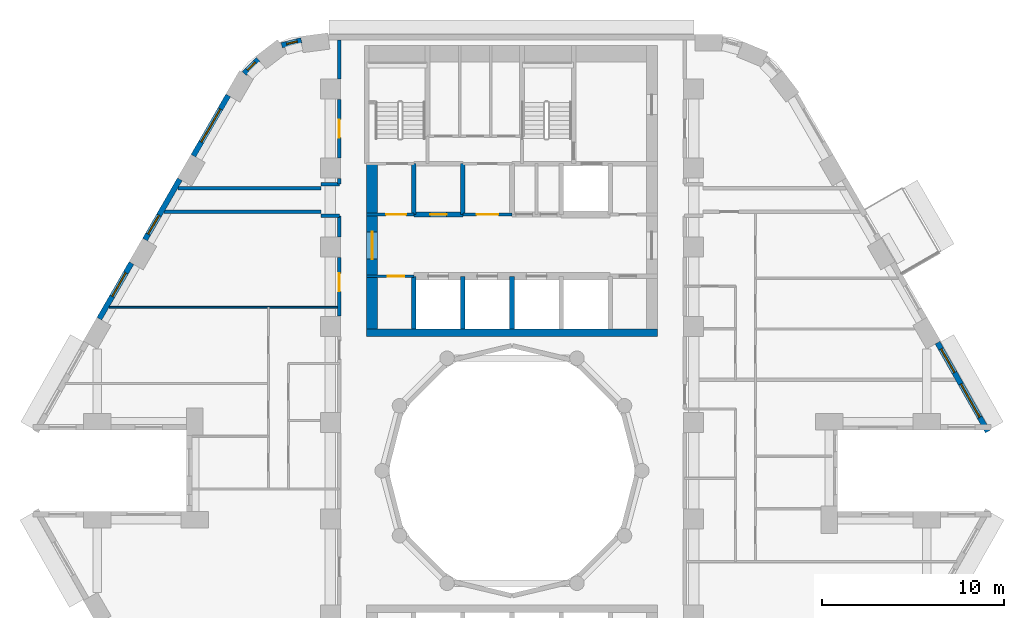
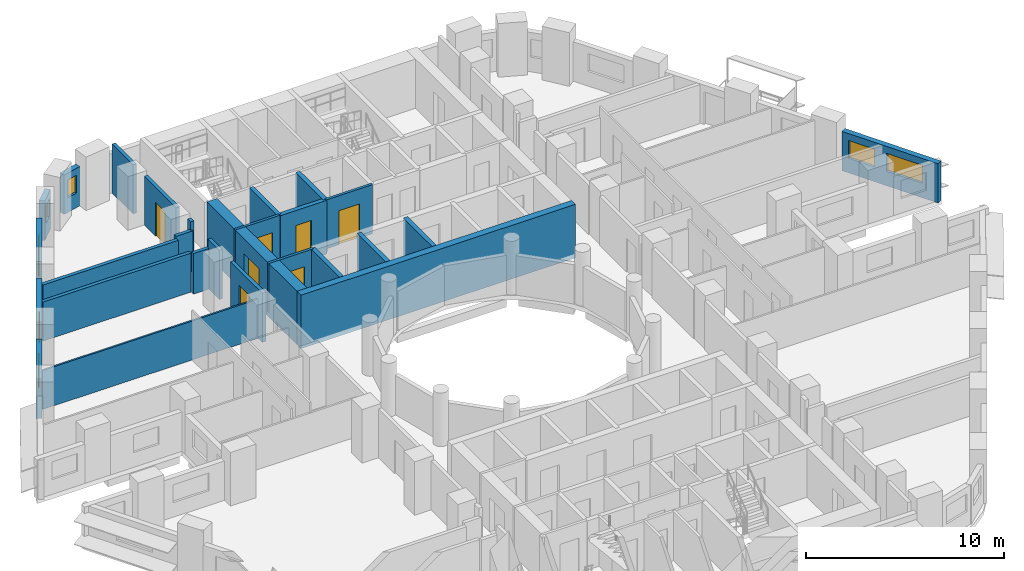
# One storey, part 7 of 13: 27 walls, 7 doors, 7 windows, 14 openings.
"""IFC4 building model written with IfcOpenShell, lengths in metres."""

from ifc_helpers import new_model, si_unit, direction, frame, frame_2d, origin, place, context, subcontext, project, spatial, rectangle, extrude, material, layer, layer_set, type_object, element, fill, save


model = new_model("IFC4")

# Units and contexts
model_context = context("Model", 3, precision=1e-05, world=origin(), true_north=direction((0.0, 1.0)))
body_context = subcontext(model_context, "Body", "Model", "MODEL_VIEW")
ifc_project = project(units=[si_unit("LENGTHUNIT", "METRE"), si_unit("AREAUNIT", "SQUARE_METRE"), si_unit("VOLUMEUNIT", "CUBIC_METRE"), si_unit("PLANEANGLEUNIT", "RADIAN"), si_unit("MASSUNIT", "GRAM", prefix="KILO")], contexts=[model_context])

# Site, building, storey
site_placement = place(None, origin())
site = spatial("IfcSite", under=ifc_project, at=site_placement, CompositionType="ELEMENT")
building_placement = place(site_placement, origin())
building = spatial("IfcBuilding", under=site, at=building_placement, Name="Nakaniwa Court", CompositionType="ELEMENT")
storey_placement = place(building_placement, frame((0.0, 0.0, 64.5)))
storey = spatial("IfcBuildingStorey", under=building, at=storey_placement, Name="L17", CompositionType="ELEMENT", Elevation=64.5)

# Walls
ifc_material_1 = material(Name="Acoustic double stud partition")
ifc_layer_1 = layer(ifc_material_1, 0.199951171875)
ifc_layer_set_1 = layer_set([ifc_layer_1], Name="Acoustic double stud partition")
wall_type_1 = type_object("IfcWallType", Name="Acoustic double stud partition 200", PredefinedType="PARTITIONING", material=ifc_layer_set_1)
wall_1_placement = place(storey_placement, frame((60.86083984375, 94.25, 0.0), z_axis=(0.0, 0.0, 1.0), x_axis=(1.0, 0.0, 0.0)))
element("IfcWall", 1, at=wall_1_placement, inside=storey, type_object=wall_type_1, Name="Partition PW-084", PredefinedType="PARTITIONING", context=body_context, shape_type="SweptSolid", body=[
    extrude(rectangle(XDim=8.63916015625, YDim=0.199951171875, at=frame_2d((4.319580078125, 0.0))), origin(), (0.0, 0.0, 1.0), 2.405029296875),
])
for number, where, z_axis, x_axis, name in (
    (2, (69.5, 94.02490234375, 0.0), (0.0, 0.0, 1.0), (1.0, 0.0, 0.0), "Partition PW-086"),
    (3, (69.5, 95.77490234375, 0.0), (0.0, 0.0, 1.0), (1.0, 0.0, 0.0), "Partition PW-088"),
):
    element("IfcWall", number, at=place(storey_placement, frame(where, z_axis=z_axis, x_axis=x_axis)), inside=storey, type_object=wall_type_1, Name=name, PredefinedType="PARTITIONING", context=body_context, shape_type="SweptSolid", body=[
        extrude(rectangle(XDim=1.0, YDim=0.199951171875, at=frame_2d((0.5, 0.0))), origin(), (0.0, 0.0, 1.0), 2.5048828125),
    ])
wall_2_placement = place(storey_placement, frame((61.611328125, 95.550048828125, 0.0), z_axis=(0.0, 0.0, 1.0), x_axis=(1.0, 0.0, 0.0)))
element("IfcWall", 4, at=wall_2_placement, inside=storey, type_object=wall_type_1, Name="Partition PW-090", PredefinedType="PARTITIONING", context=body_context, shape_type="SweptSolid", body=[
    extrude(rectangle(XDim=7.888671875, YDim=0.199951171875, at=frame_2d((3.9443359375, 0.0))), origin(), (0.0, 0.0, 1.0), 2.405029296875),
])

# Wall, opening, door
wall_3_placement = place(storey_placement, frame((70.5, 88.51708984375, 0.0), z_axis=(0.0, 0.0, 1.0), x_axis=(0.0, 1.0, 0.0)))
wall_3 = element("IfcWall", 5, at=wall_3_placement, inside=storey, type_object=wall_type_1, Name="Partition PW-108", PredefinedType="PARTITIONING", context=body_context, shape_type="SweptSolid", body=[
    extrude(rectangle(XDim=3.2158203125, YDim=0.199951171875, at=frame_2d((1.60791015625, 0.0))), origin(), (0.0, 0.0, 1.0), 3.02490234375),
])
opening_1_placement = place(wall_3_placement, frame((1.347900390625, 0.0, 0.0)))
opening_1 = element("IfcOpeningElement", 6, at=opening_1_placement, cuts=wall_3, Name="Opening D-02-06", PredefinedType="OPENING", context=body_context, shape_type="SweptSolid", body=[
    extrude(rectangle(XDim=1.0, YDim=2.10009765625, at=frame_2d((0.5, 1.050048828125))), frame((0.0, 0.10986328125, 0.0), z_axis=(0.0, -1.0, 0.0), x_axis=(1.0, 0.0, 0.0)), (0.0, 0.0, 1.0), 0.219970703125),
])
ifc_material_2 = material(Name="Solid core timber door set, black veneer", Category="wood")
door_type_1 = type_object("IfcDoorType", Name="Internal door 1000", OperationType="NOTDEFINED", PredefinedType="DOOR", material=ifc_material_2)
door_1_placement = place(opening_1_placement, origin())
door_1 = element("IfcDoor", 7, at=door_1_placement, inside=storey, type_object=door_type_1, Name="Door D-02-06 L17-052", OperationType="SINGLE_SWING_LEFT", OverallHeight=2.10009765625, OverallWidth=1.0, PredefinedType="DOOR", context=body_context, shape_type="SweptSolid", body=[
    extrude(rectangle(XDim=1.0, YDim=2.10009765625, at=frame_2d((0.5, 1.050048828125))), frame((0.0, 0.02490234375, 0.0), z_axis=(0.0, -1.0, 0.0), x_axis=(1.0, 0.0, 0.0)), (0.0, 0.0, 1.0), 0.050048828125),
])
fill(opening_1, door_1)

# Walls
wall_4_placement = place(storey_placement, frame((70.5, 92.866943359375, 0.0), z_axis=(0.0, 0.0, 1.0), x_axis=(0.0, 1.0, 0.0)))
element("IfcWall", 8, at=wall_4_placement, inside=storey, type_object=wall_type_1, Name="Partition PW-109", PredefinedType="PARTITIONING", context=body_context, shape_type="SweptSolid", body=[
    extrude(rectangle(XDim=1.1611328125, YDim=0.199951171875, at=frame_2d((0.58056640625, 0.0))), origin(), (0.0, 0.0, 1.0), 3.02490234375),
])
wall_5_placement = place(storey_placement, frame((70.5, 95.77197265625, 0.0), z_axis=(0.0, 0.0, 1.0), x_axis=(0.0, 1.0, 0.0)))
element("IfcWall", 9, at=wall_5_placement, inside=storey, type_object=wall_type_1, Name="Partition PW-110", PredefinedType="PARTITIONING", context=body_context, shape_type="SweptSolid", body=[
    extrude(rectangle(XDim=0.31103515625, YDim=0.199951171875, at=frame_2d((0.155517578125, 0.0))), origin(), (0.0, 0.0, 1.0), 3.02490234375),
])

# Wall, opening, door
wall_6_placement = place(storey_placement, frame((70.5, 97.217041015625, 0.0), z_axis=(0.0, 0.0, 1.0), x_axis=(0.0, 1.0, 0.0)))
wall_6 = element("IfcWall", 10, at=wall_6_placement, inside=storey, type_object=wall_type_1, Name="Partition PW-111", PredefinedType="PARTITIONING", context=body_context, shape_type="SweptSolid", body=[
    extrude(rectangle(XDim=3.216064453125, YDim=0.199951171875, at=frame_2d((1.60791015625, 0.0))), origin(), (0.0, 0.0, 1.0), 3.02490234375),
])
opening_2_placement = place(wall_6_placement, frame((1.10791015625, 0.0, 0.0)))
opening_2 = element("IfcOpeningElement", 11, at=opening_2_placement, cuts=wall_6, Name="Opening D-02-07", PredefinedType="OPENING", context=body_context, shape_type="SweptSolid", body=[
    extrude(rectangle(XDim=1.0, YDim=2.10009765625, at=frame_2d((0.5, 1.050048828125))), frame((0.0, 0.10986328125, 0.0), z_axis=(0.0, -1.0, 0.0), x_axis=(1.0, 0.0, 0.0)), (0.0, 0.0, 1.0), 0.219970703125),
])
door_2_placement = place(opening_2_placement, origin())
door_2 = element("IfcDoor", 12, at=door_2_placement, inside=storey, type_object=door_type_1, Name="Door D-02-07 L17-053", OperationType="SINGLE_SWING_RIGHT", OverallHeight=2.10009765625, OverallWidth=1.0, PredefinedType="DOOR", context=body_context, shape_type="SweptSolid", body=[
    extrude(rectangle(XDim=1.0, YDim=2.10009765625, at=frame_2d((0.5, 1.050048828125))), frame((0.0, 0.02490234375, 0.0), z_axis=(0.0, -1.0, 0.0), x_axis=(1.0, 0.0, 0.0)), (0.0, 0.0, 1.0), 0.050048828125),
])
fill(opening_2, door_2)

# Wall
wall_7_placement = place(storey_placement, frame((70.5, 101.56689453125, 0.0), z_axis=(0.0, 0.0, 1.0), x_axis=(0.0, 1.0, 0.0)))
element("IfcWall", 13, at=wall_7_placement, inside=storey, type_object=wall_type_1, Name="Partition PW-112", PredefinedType="PARTITIONING", context=body_context, shape_type="SweptSolid", body=[
    extrude(rectangle(XDim=2.133056640625, YDim=0.199951171875, at=frame_2d((1.06640625, 0.0))), origin(), (0.0, 0.0, 1.0), 3.02490234375),
])

# Wall, openings, windows
ifc_material_3 = material(Name="Charcoal ceramic cladding")
ifc_layer_2 = layer(ifc_material_3, 0.02, Name="Ceramic cladding")
ifc_material_4 = material(Name="Ventilated air cavity")
ifc_layer_3 = layer(ifc_material_4, 0.04, ventilated=True, Name="Ventilated cavity")
ifc_material_5 = material(Name="Mineral wool insulation")
ifc_layer_4 = layer(ifc_material_5, 0.1, Name="Insulation")
ifc_material_6 = material(Name="Cement bonded sheathing board")
ifc_layer_5 = layer(ifc_material_6, 0.012, Name="Sheathing")
ifc_material_7 = material(Name="Cold-formed galvanised stud frame with mineral wool infill")
ifc_layer_6 = layer(ifc_material_7, 0.1, Name="Stud frame")
ifc_material_8 = material(Name="Fire-rated gypsum plasterboard lining")
ifc_layer_7 = layer(ifc_material_8, 0.028, Name="Lining")
ifc_layer_set_2 = layer_set([ifc_layer_2, ifc_layer_3, ifc_layer_4, ifc_layer_5, ifc_layer_6, ifc_layer_7], Name="Charcoal ceramic faced external wall system")
wall_type_2 = type_object("IfcWallType", Name="Black ceramic faced external wall 300", PredefinedType="SOLIDWALL", material=ifc_layer_set_2)
wall_8_placement = place(storey_placement, frame((106.18603515625, 82.1533203125, 0.0), z_axis=(0.0, 0.0, 1.0), x_axis=(-0.492363204642, 0.870389840655, 0.0)))
wall_8 = element("IfcWall", 14, at=wall_8_placement, inside=storey, type_object=wall_type_2, Name="L17 external wall 02", PredefinedType="SOLIDWALL", context=body_context, shape_type="SweptSolid", body=[
    extrude(rectangle(XDim=5.62646484375, YDim=0.300048828125, at=frame_2d((2.813232421875, 0.0))), origin(), (0.0, 0.0, 1.0), 2.425048828125),
])
opening_3_placement = place(wall_8_placement, frame((0.9091796875, 0.0, 0.89990234375)))
opening_3 = element("IfcOpeningElement", 15, at=opening_3_placement, cuts=wall_8, Name="Opening W7.03", PredefinedType="OPENING", context=body_context, shape_type="SweptSolid", body=[
    extrude(rectangle(XDim=2.10009765625, YDim=1.10009765625, at=frame_2d((1.050048828125, 0.550048828125))), frame((0.0, 0.159912109375, 0.0), z_axis=(0.0, -1.0, 0.0), x_axis=(1.0, 0.0, 0.0)), (0.0, 0.0, 1.0), 0.320068359375),
])
opening_4_placement = place(wall_8_placement, frame((3.73388671875, 0.0, 0.89990234375)))
opening_4 = element("IfcOpeningElement", 16, at=opening_4_placement, cuts=wall_8, Name="Opening W5.04", PredefinedType="OPENING", context=body_context, shape_type="SweptSolid", body=[
    extrude(rectangle(XDim=1.5, YDim=1.10009765625, at=frame_2d((0.75, 0.550048828125))), frame((0.0, 0.159912109375, 0.0), z_axis=(0.0, -1.0, 0.0), x_axis=(1.0, 0.0, 0.0)), (0.0, 0.0, 1.0), 0.320068359375),
])
ifc_material_9 = material(Name="Black anodised aluminium frame with dark low-E laminated double glazing", Category="aluminium")
window_type_1 = type_object("IfcWindowType", Name="Dark glass window 1500x1100 sill 900", PartitioningType="SINGLE_PANEL", PredefinedType="WINDOW", material=ifc_material_9)
window_1_placement = place(opening_4_placement, origin())
window_1 = element("IfcWindow", 17, at=window_1_placement, inside=storey, type_object=window_type_1, Name="L17 bedroom window 02-1", OverallHeight=1.10009765625, OverallWidth=1.5, PartitioningType="SINGLE_PANEL", PredefinedType="WINDOW", context=body_context, shape_type="SweptSolid", body=[
    extrude(rectangle(XDim=1.5, YDim=1.10009765625, at=frame_2d((0.75, 0.550048828125))), frame((0.0, 0.030029296875, 0.0), z_axis=(0.0, -1.0, 0.0), x_axis=(1.0, 0.0, 0.0)), (0.0, 0.0, 1.0), 0.06005859375),
])
fill(opening_4, window_1)
window_type_2 = type_object("IfcWindowType", Name="Dark glass window 2100x1100 sill 900", PartitioningType="SINGLE_PANEL", PredefinedType="WINDOW", material=ifc_material_9)
window_2_placement = place(opening_3_placement, origin())
window_2 = element("IfcWindow", 18, at=window_2_placement, inside=storey, type_object=window_type_2, Name="L17 living window 02-0", OverallHeight=1.10009765625, OverallWidth=2.10009765625, PartitioningType="SINGLE_PANEL", PredefinedType="WINDOW", context=body_context, shape_type="SweptSolid", body=[
    extrude(rectangle(XDim=2.10009765625, YDim=1.10009765625, at=frame_2d((1.050048828125, 0.550048828125))), frame((0.0, 0.030029296875, 0.0), z_axis=(0.0, -1.0, 0.0), x_axis=(1.0, 0.0, 0.0)), (0.0, 0.0, 1.0), 0.06005859375),
])
fill(opening_3, window_2)

# Wall, opening, window
wall_9_placement = place(storey_placement, frame((68.4052734375, 103.68310546875, 0.0), z_axis=(0.0, 0.0, 1.0), x_axis=(-0.969766298956, -0.244035500304, 0.0)))
wall_9 = element("IfcWall", 19, at=wall_9_placement, inside=storey, type_object=wall_type_2, Name="L17 external wall 09", PredefinedType="SOLIDWALL", context=body_context, shape_type="SweptSolid", body=[
    extrude(rectangle(XDim=1.110595703125, YDim=0.300048828125, at=frame_2d((0.55517578125, 0.0))), origin(), (0.0, 0.0, 1.0), 2.425048828125),
])
opening_5_placement = place(wall_9_placement, frame((0.230712890625, 0.0, 0.89990234375)))
opening_5 = element("IfcOpeningElement", 20, at=opening_5_placement, cuts=wall_9, Name="Opening W8.09", PredefinedType="OPENING", context=body_context, shape_type="SweptSolid", body=[
    extrude(rectangle(XDim=0.60009765625, YDim=1.10009765625, at=frame_2d((0.300048828125, 0.550048828125))), frame((0.0, 0.159912109375, 0.0), z_axis=(0.0, -1.0, 0.0), x_axis=(1.0, 0.0, 0.0)), (0.0, 0.0, 1.0), 0.320068359375),
])
window_type_3 = type_object("IfcWindowType", Name="Dark glass window 600x1100 sill 900", PartitioningType="SINGLE_PANEL", PredefinedType="WINDOW", material=ifc_material_9)
window_3_placement = place(opening_5_placement, origin())
window_3 = element("IfcWindow", 21, at=window_3_placement, inside=storey, type_object=window_type_3, Name="L17 habitable room window 09-0", OverallHeight=1.10009765625, OverallWidth=0.60009765625, PartitioningType="SINGLE_PANEL", PredefinedType="WINDOW", context=body_context, shape_type="SweptSolid", body=[
    extrude(rectangle(XDim=0.60009765625, YDim=1.10009765625, at=frame_2d((0.300048828125, 0.550048828125))), frame((0.0, 0.030029296875, 0.0), z_axis=(0.0, -1.0, 0.0), x_axis=(1.0, 0.0, 0.0)), (0.0, 0.0, 1.0), 0.06005859375),
])
fill(opening_5, window_3)

wall_10_placement = place(storey_placement, frame((66.04150390625, 102.637451171875, 0.0), z_axis=(0.0, 0.0, 1.0), x_axis=(-0.708892395813, -0.705316646024, 0.0)))
wall_10 = element("IfcWall", 22, at=wall_10_placement, inside=storey, type_object=wall_type_2, Name="L17 external wall 10", PredefinedType="SOLIDWALL", context=body_context, shape_type="SweptSolid", body=[
    extrude(rectangle(XDim=1.092529296875, YDim=0.300048828125, at=frame_2d((0.54638671875, 0.0))), origin(), (0.0, 0.0, 1.0), 2.425048828125),
])
opening_6_placement = place(wall_10_placement, frame((0.23583984375, 0.0, 0.89990234375)))
opening_6 = element("IfcOpeningElement", 23, at=opening_6_placement, cuts=wall_10, Name="Opening W8.10", PredefinedType="OPENING", context=body_context, shape_type="SweptSolid", body=[
    extrude(rectangle(XDim=0.60009765625, YDim=1.10009765625, at=frame_2d((0.300048828125, 0.550048828125))), frame((0.0, 0.159912109375, 0.0), z_axis=(0.0, -1.0, 0.0), x_axis=(1.0, 0.0, 0.0)), (0.0, 0.0, 1.0), 0.320068359375),
])
window_4_placement = place(opening_6_placement, origin())
window_4 = element("IfcWindow", 24, at=window_4_placement, inside=storey, type_object=window_type_3, Name="L17 habitable room window 10-0", OverallHeight=1.10009765625, OverallWidth=0.60009765625, PartitioningType="SINGLE_PANEL", PredefinedType="WINDOW", context=body_context, shape_type="SweptSolid", body=[
    extrude(rectangle(XDim=0.60009765625, YDim=1.10009765625, at=frame_2d((0.300048828125, 0.550048828125))), frame((0.0, 0.030029296875, 0.0), z_axis=(0.0, -1.0, 0.0), x_axis=(1.0, 0.0, 0.0)), (0.0, 0.0, 1.0), 0.06005859375),
])
fill(opening_6, window_4)

wall_11_placement = place(storey_placement, frame((64.384765625, 100.653564453125, 0.0), z_axis=(0.0, 0.0, 1.0), x_axis=(-0.499974163209, -0.866040320149, 0.0)))
wall_11 = element("IfcWall", 25, at=wall_11_placement, inside=storey, type_object=wall_type_2, Name="L17 external wall 11", PredefinedType="SOLIDWALL", context=body_context, shape_type="SweptSolid", body=[
    extrude(rectangle(XDim=3.834228515625, YDim=0.300048828125, at=frame_2d((1.9169921875, 0.0))), origin(), (0.0, 0.0, 1.0), 2.425048828125),
])
opening_7_placement = place(wall_11_placement, frame((0.866943359375, 0.0, 0.89990234375)))
opening_7 = element("IfcOpeningElement", 26, at=opening_7_placement, cuts=wall_11, Name="Opening W7.11", PredefinedType="OPENING", context=body_context, shape_type="SweptSolid", body=[
    extrude(rectangle(XDim=2.10009765625, YDim=1.10009765625, at=frame_2d((1.050048828125, 0.550048828125))), frame((0.0, 0.159912109375, 0.0), z_axis=(0.0, -1.0, 0.0), x_axis=(1.0, 0.0, 0.0)), (0.0, 0.0, 1.0), 0.320068359375),
])
window_5_placement = place(opening_7_placement, origin())
window_5 = element("IfcWindow", 27, at=window_5_placement, inside=storey, type_object=window_type_2, Name="L17 habitable room window 11-0", OverallHeight=1.10009765625, OverallWidth=2.10009765625, PartitioningType="SINGLE_PANEL", PredefinedType="WINDOW", context=body_context, shape_type="SweptSolid", body=[
    extrude(rectangle(XDim=2.10009765625, YDim=1.10009765625, at=frame_2d((1.050048828125, 0.550048828125))), frame((0.0, 0.030029296875, 0.0), z_axis=(0.0, -1.0, 0.0), x_axis=(1.0, 0.0, 0.0)), (0.0, 0.0, 1.0), 0.06005859375),
])
fill(opening_7, window_5)

wall_12_placement = place(storey_placement, frame((61.7216796875, 96.041015625, 0.0), z_axis=(0.0, 0.0, 1.0), x_axis=(-0.500001735503, -0.866024401789, 0.0)))
wall_12 = element("IfcWall", 28, at=wall_12_placement, inside=storey, type_object=wall_type_2, Name="L17 external wall 12", PredefinedType="SOLIDWALL", context=body_context, shape_type="SweptSolid", body=[
    extrude(rectangle(XDim=3.833984375, YDim=0.300048828125, at=frame_2d((1.9169921875, 0.0))), origin(), (0.0, 0.0, 1.0), 2.425048828125),
])
opening_8_placement = place(wall_12_placement, frame((2.2900390625, 0.0, 0.89990234375)))
opening_8 = element("IfcOpeningElement", 29, at=opening_8_placement, cuts=wall_12, Name="Opening W6.12", PredefinedType="OPENING", context=body_context, shape_type="SweptSolid", body=[
    extrude(rectangle(XDim=1.199951171875, YDim=1.10009765625, at=frame_2d((0.60009765625, 0.550048828125))), frame((0.0, 0.159912109375, 0.0), z_axis=(0.0, -1.0, 0.0), x_axis=(1.0, 0.0, 0.0)), (0.0, 0.0, 1.0), 0.320068359375),
])
window_type_4 = type_object("IfcWindowType", Name="Dark glass window 1200x1100 sill 900", PartitioningType="SINGLE_PANEL", PredefinedType="WINDOW", material=ifc_material_9)
window_6_placement = place(opening_8_placement, origin())
window_6 = element("IfcWindow", 30, at=window_6_placement, inside=storey, type_object=window_type_4, Name="L17 habitable room window 12-2", OverallHeight=1.10009765625, OverallWidth=1.199951171875, PartitioningType="SINGLE_PANEL", PredefinedType="WINDOW", context=body_context, shape_type="SweptSolid", body=[
    extrude(rectangle(XDim=1.199951171875, YDim=1.10009765625, at=frame_2d((0.60009765625, 0.550048828125))), frame((0.0, 0.030029296875, 0.0), z_axis=(0.0, -1.0, 0.0), x_axis=(1.0, 0.0, 0.0)), (0.0, 0.0, 1.0), 0.06005859375),
])
fill(opening_8, window_6)

wall_13_placement = place(storey_placement, frame((59.05859375, 91.4287109375, 0.0), z_axis=(0.0, 0.0, 1.0), x_axis=(-0.499977402622, -0.866038449993, 0.0)))
wall_13 = element("IfcWall", 31, at=wall_13_placement, inside=storey, type_object=wall_type_2, Name="L17 external wall 13", PredefinedType="SOLIDWALL", context=body_context, shape_type="SweptSolid", body=[
    extrude(rectangle(XDim=3.536865234375, YDim=0.300048828125, at=frame_2d((1.7685546875, 0.0))), origin(), (0.0, 0.0, 1.0), 2.425048828125),
])
opening_9_placement = place(wall_13_placement, frame((0.614990234375, 0.0, 0.89990234375)))
opening_9 = element("IfcOpeningElement", 32, at=opening_9_placement, cuts=wall_13, Name="Opening W5.13", PredefinedType="OPENING", context=body_context, shape_type="SweptSolid", body=[
    extrude(rectangle(XDim=1.5, YDim=1.10009765625, at=frame_2d((0.75, 0.550048828125))), frame((0.0, 0.159912109375, 0.0), z_axis=(0.0, -1.0, 0.0), x_axis=(1.0, 0.0, 0.0)), (0.0, 0.0, 1.0), 0.320068359375),
])
window_7_placement = place(opening_9_placement, origin())
window_7 = element("IfcWindow", 33, at=window_7_placement, inside=storey, type_object=window_type_1, Name="L17 habitable room window 13-0", OverallHeight=1.10009765625, OverallWidth=1.5, PartitioningType="SINGLE_PANEL", PredefinedType="WINDOW", context=body_context, shape_type="SweptSolid", body=[
    extrude(rectangle(XDim=1.5, YDim=1.10009765625, at=frame_2d((0.75, 0.550048828125))), frame((0.0, 0.030029296875, 0.0), z_axis=(0.0, -1.0, 0.0), x_axis=(1.0, 0.0, 0.0)), (0.0, 0.0, 1.0), 0.06005859375),
])
fill(opening_9, window_7)

# Wall, opening, door
ifc_material_10 = material(Name="Blockwork partition", Category="masonry")
ifc_layer_8 = layer(ifc_material_10, 0.14990234375)
ifc_layer_set_3 = layer_set([ifc_layer_8], Name="Blockwork partition")
wall_type_3 = type_object("IfcWallType", Name="Blockwork partition 150", PredefinedType="PARTITIONING", material=ifc_layer_set_3)
wall_14_placement = place(storey_placement, frame((74.60009765625, 90.699951171875, 0.0), z_axis=(0.0, 0.0, 1.0), x_axis=(-1.0, 0.0, 0.0)))
wall_14 = element("IfcWall", 34, at=wall_14_placement, inside=storey, type_object=wall_type_3, Name="Partition PW-003", PredefinedType="PARTITIONING", context=body_context, shape_type="SweptSolid", body=[
    extrude(rectangle(XDim=2.60009765625, YDim=0.14990234375, at=frame_2d((1.300048828125, 0.0))), origin(), (0.0, 0.0, 1.0), 3.02490234375),
])
opening_10_placement = place(wall_14_placement, frame((0.52490234375, 0.0, 0.0)))
opening_10 = element("IfcOpeningElement", 35, at=opening_10_placement, cuts=wall_14, Name="Opening D-05-01", PredefinedType="OPENING", context=body_context, shape_type="SweptSolid", body=[
    extrude(rectangle(XDim=0.89990234375, YDim=2.10009765625, at=frame_2d((0.449951171875, 1.050048828125))), frame((0.0, 0.0849609375, 0.0), z_axis=(0.0, -1.0, 0.0), x_axis=(1.0, 0.0, 0.0)), (0.0, 0.0, 1.0), 0.169921875),
])
ifc_material_11 = material(Name="Fire rated steel door set", Category="steel")
door_type_2 = type_object("IfcDoorType", Name="Service room door 900", OperationType="NOTDEFINED", PredefinedType="DOOR", material=ifc_material_11)
door_3_placement = place(opening_10_placement, origin())
door_3 = element("IfcDoor", 36, at=door_3_placement, inside=storey, type_object=door_type_2, Name="Door D-05-01 L17-001", OperationType="SINGLE_SWING_RIGHT", OverallHeight=2.10009765625, OverallWidth=0.89990234375, PredefinedType="DOOR", context=body_context, shape_type="SweptSolid", body=[
    extrude(rectangle(XDim=0.89990234375, YDim=2.10009765625, at=frame_2d((0.449951171875, 1.050048828125))), frame((0.0, 0.02490234375, 0.0), z_axis=(0.0, -1.0, 0.0), x_axis=(1.0, 0.0, 0.0)), (0.0, 0.0, 1.0), 0.050048828125),
])
fill(opening_10, door_3)

wall_15_placement = place(storey_placement, frame((72.0, 94.10009765625, 0.0), z_axis=(0.0, 0.0, 1.0), x_axis=(1.0, 0.0, 0.0)))
wall_15 = element("IfcWall", 37, at=wall_15_placement, inside=storey, type_object=wall_type_3, Name="Partition PW-016", PredefinedType="PARTITIONING", context=body_context, shape_type="SweptSolid", body=[
    extrude(rectangle(XDim=2.60302734375, YDim=0.14990234375, at=frame_2d((1.301513671875, 0.0))), origin(), (0.0, 0.0, 1.0), 3.02490234375),
])
opening_11_placement = place(wall_15_placement, frame((1.074951171875, 0.0, 0.0)))
opening_11 = element("IfcOpeningElement", 38, at=opening_11_placement, cuts=wall_15, Name="Opening D-08-01", PredefinedType="OPENING", context=body_context, shape_type="SweptSolid", body=[
    extrude(rectangle(XDim=1.10009765625, YDim=2.10009765625, at=frame_2d((0.550048828125, 1.050048828125))), frame((0.0, 0.0849609375, 0.0), z_axis=(0.0, -1.0, 0.0), x_axis=(1.0, 0.0, 0.0)), (0.0, 0.0, 1.0), 0.169921875),
])
door_type_3 = type_object("IfcDoorType", Name="Stair lobby door 1100", OperationType="NOTDEFINED", PredefinedType="DOOR", material=ifc_material_11)
door_4_placement = place(opening_11_placement, origin())
door_4 = element("IfcDoor", 39, at=door_4_placement, inside=storey, type_object=door_type_3, Name="Door D-08-01 L17-003", OperationType="SINGLE_SWING_RIGHT", OverallHeight=2.10009765625, OverallWidth=1.10009765625, PredefinedType="DOOR", context=body_context, shape_type="SweptSolid", body=[
    extrude(rectangle(XDim=1.10009765625, YDim=2.10009765625, at=frame_2d((0.550048828125, 1.050048828125))), frame((0.0, 0.02490234375, 0.0), z_axis=(0.0, -1.0, 0.0), x_axis=(1.0, 0.0, 0.0)), (0.0, 0.0, 1.0), 0.050048828125),
])
fill(opening_11, door_4)

wall_16_placement = place(storey_placement, frame((77.297119140625, 94.10009765625, 0.0), z_axis=(0.0, 0.0, 1.0), x_axis=(1.0, 0.0, 0.0)))
wall_16 = element("IfcWall", 40, at=wall_16_placement, inside=storey, type_object=wall_type_3, Name="Partition PW-017", PredefinedType="PARTITIONING", context=body_context, shape_type="SweptSolid", body=[
    extrude(rectangle(XDim=2.705810546875, YDim=0.14990234375, at=frame_2d((1.35302734375, 0.0))), origin(), (0.0, 0.0, 1.0), 3.02490234375),
])
opening_12_placement = place(wall_16_placement, frame((0.7529296875, 0.0, 0.0)))
opening_12 = element("IfcOpeningElement", 41, at=opening_12_placement, cuts=wall_16, Name="Opening D-06-01", PredefinedType="OPENING", context=body_context, shape_type="SweptSolid", body=[
    extrude(rectangle(XDim=1.199951171875, YDim=2.10009765625, at=frame_2d((0.60009765625, 1.050048828125))), frame((0.0, 0.0849609375, 0.0), z_axis=(0.0, -1.0, 0.0), x_axis=(1.0, 0.0, 0.0)), (0.0, 0.0, 1.0), 0.169921875),
])
ifc_material_12 = material(Name="Fire rated steel double door set", Category="steel")
door_type_4 = type_object("IfcDoorType", Name="Service passage double door 1200", OperationType="NOTDEFINED", PredefinedType="DOOR", material=ifc_material_12)
door_5_placement = place(opening_12_placement, origin())
door_5 = element("IfcDoor", 42, at=door_5_placement, inside=storey, type_object=door_type_4, Name="Door D-06-01 L17-005", OperationType="DOUBLE_DOOR_SINGLE_SWING", OverallHeight=2.10009765625, OverallWidth=1.199951171875, PredefinedType="DOOR", context=body_context, shape_type="SweptSolid", body=[
    extrude(rectangle(XDim=1.199951171875, YDim=2.10009765625, at=frame_2d((0.60009765625, 1.050048828125))), frame((0.0, 0.02490234375, 0.0), z_axis=(0.0, -1.0, 0.0), x_axis=(1.0, 0.0, 0.0)), (0.0, 0.0, 1.0), 0.050048828125),
])
fill(opening_12, door_5)

ifc_material_13 = material(Name="Concrete C100/115", Category="concrete")
ifc_layer_9 = layer(ifc_material_13, 0.60009765625)
ifc_layer_set_4 = layer_set([ifc_layer_9], Name="Concrete C100/115")
wall_type_4 = type_object("IfcWallType", Name="Concrete core side wall 600 C100", PredefinedType="SHEAR", material=ifc_layer_set_4)
wall_17_placement = place(storey_placement, frame((72.300048828125, 87.800048828125, -0.27490234375), z_axis=(0.0, 0.0, 1.0), x_axis=(0.0, 1.0, 0.0)))
wall_17 = element("IfcWall", 43, at=wall_17_placement, inside=storey, type_object=wall_type_4, Name="Core wall SW-04", PredefinedType="SHEAR", context=body_context, shape_type="SweptSolid", body=[
    extrude(rectangle(XDim=9.099853515625, YDim=0.60009765625, at=frame_2d((4.5498046875, 0.0))), origin(), (0.0, 0.0, 1.0), 3.2998046875),
])
opening_13_placement = place(wall_17_placement, frame((3.85009765625, 0.0, 0.27490234375)))
opening_13 = element("IfcOpeningElement", 44, at=opening_13_placement, cuts=wall_17, Name="Opening D-07-02", PredefinedType="OPENING", context=body_context, shape_type="SweptSolid", body=[
    extrude(rectangle(XDim=1.5, YDim=2.10009765625, at=frame_2d((0.75, 1.050048828125))), frame((0.0, 0.31005859375, 0.0), z_axis=(0.0, -1.0, 0.0), x_axis=(1.0, 0.0, 0.0)), (0.0, 0.0, 1.0), 0.6201171875),
])
ifc_material_14 = material(Name="Glazed fire rated steel double door set", Category="steel")
door_type_5 = type_object("IfcDoorType", Name="Lobby double door 1500", OperationType="NOTDEFINED", PredefinedType="DOOR", material=ifc_material_14)
door_6_placement = place(opening_13_placement, origin())
door_6 = element("IfcDoor", 45, at=door_6_placement, inside=storey, type_object=door_type_5, Name="Door D-07-02 L17-055", OperationType="DOUBLE_DOOR_SINGLE_SWING", OverallHeight=2.10009765625, OverallWidth=1.5, PredefinedType="DOOR", context=body_context, shape_type="SweptSolid", body=[
    extrude(rectangle(XDim=1.5, YDim=2.10009765625, at=frame_2d((0.75, 1.050048828125))), frame((0.0, 0.02490234375, 0.0), z_axis=(0.0, -1.0, 0.0), x_axis=(1.0, 0.0, 0.0)), (0.0, 0.0, 1.0), 0.050048828125),
])
fill(opening_13, door_6)

# Walls
ifc_layer_10 = layer(ifc_material_13, 0.39990234375)
ifc_layer_set_5 = layer_set([ifc_layer_10], Name="Concrete C100/115")
wall_type_5 = type_object("IfcWallType", Name="Concrete core well wall 400 C100", PredefinedType="SHEAR", material=ifc_layer_set_5)
wall_18_placement = place(storey_placement, frame((72.00390625, 87.60009765625, -0.27490234375), z_axis=(0.0, 0.0, 1.0), x_axis=(1.0, 0.0, 0.0)))
element("IfcWall", 46, at=wall_18_placement, inside=storey, type_object=wall_type_5, Name="Core wall SW-134", PredefinedType="SHEAR", context=body_context, shape_type="SweptSolid", body=[
    extrude(rectangle(XDim=15.9921875, YDim=0.39990234375, at=frame_2d((7.99609375, 0.0))), origin(), (0.0, 0.0, 1.0), 3.2998046875),
])
ifc_layer_11 = layer(ifc_material_13, 0.25)
ifc_layer_set_6 = layer_set([ifc_layer_11], Name="Concrete C100/115")
wall_type_6 = type_object("IfcWallType", Name="Concrete shaft wall 250 C100", PredefinedType="SHEAR", material=ifc_layer_set_6)
wall_19_placement = place(storey_placement, frame((74.60009765625, 87.800048828125, -0.27490234375), z_axis=(0.0, 0.0, 1.0), x_axis=(0.0, 1.0, 0.0)))
element("IfcWall", 47, at=wall_19_placement, inside=storey, type_object=wall_type_6, Name="Core wall SW-01", PredefinedType="SHEAR", context=body_context, shape_type="SweptSolid", body=[
    extrude(rectangle(XDim=2.89990234375, YDim=0.25, at=frame_2d((1.449951171875, 0.0))), origin(), (0.0, 0.0, 1.0), 3.2998046875),
])
wall_20_placement = place(storey_placement, frame((74.60009765625, 94.10009765625, -0.27490234375), z_axis=(0.0, 0.0, 1.0), x_axis=(0.0, 1.0, 0.0)))
element("IfcWall", 48, at=wall_20_placement, inside=storey, type_object=wall_type_6, Name="Core wall SW-02", PredefinedType="SHEAR", context=body_context, shape_type="SweptSolid", body=[
    extrude(rectangle(XDim=2.7998046875, YDim=0.25, at=frame_2d((1.39990234375, 0.0))), origin(), (0.0, 0.0, 1.0), 3.2998046875),
])
wall_21_placement = place(storey_placement, frame((77.300048828125, 87.800048828125, -0.27490234375), z_axis=(0.0, 0.0, 1.0), x_axis=(0.0, 1.0, 0.0)))
element("IfcWall", 49, at=wall_21_placement, inside=storey, type_object=wall_type_6, Name="Core wall SW-05", PredefinedType="SHEAR", context=body_context, shape_type="SweptSolid", body=[
    extrude(rectangle(XDim=2.89990234375, YDim=0.25, at=frame_2d((1.449951171875, 0.0))), origin(), (0.0, 0.0, 1.0), 3.2998046875),
])
wall_22_placement = place(storey_placement, frame((77.300048828125, 94.10009765625, -0.27490234375), z_axis=(0.0, 0.0, 1.0), x_axis=(0.0, 1.0, 0.0)))
element("IfcWall", 50, at=wall_22_placement, inside=storey, type_object=wall_type_6, Name="Core wall SW-06", PredefinedType="SHEAR", context=body_context, shape_type="SweptSolid", body=[
    extrude(rectangle(XDim=2.7998046875, YDim=0.25, at=frame_2d((1.39990234375, 0.0))), origin(), (0.0, 0.0, 1.0), 3.2998046875),
])
wall_23_placement = place(storey_placement, frame((80.0, 87.800048828125, -0.27490234375), z_axis=(0.0, 0.0, 1.0), x_axis=(0.0, 1.0, 0.0)))
element("IfcWall", 51, at=wall_23_placement, inside=storey, type_object=wall_type_6, Name="Core wall SW-08", PredefinedType="SHEAR", context=body_context, shape_type="SweptSolid", body=[
    extrude(rectangle(XDim=2.89990234375, YDim=0.25, at=frame_2d((1.449951171875, 0.0))), origin(), (0.0, 0.0, 1.0), 3.2998046875),
])

# Wall, opening, door
wall_24_placement = place(storey_placement, frame((74.596923828125, 94.10009765625, -0.27490234375), z_axis=(0.0, 0.0, 1.0), x_axis=(1.0, 0.0, 0.0)))
wall_24 = element("IfcWall", 52, at=wall_24_placement, inside=storey, type_object=wall_type_6, Name="Core wall SW-19", PredefinedType="SHEAR", context=body_context, shape_type="SweptSolid", body=[
    extrude(rectangle(XDim=2.7060546875, YDim=0.25, at=frame_2d((1.35302734375, 0.0))), origin(), (0.0, 0.0, 1.0), 3.2998046875),
])
opening_14_placement = place(wall_24_placement, frame((0.903076171875, 0.0, 0.27490234375)))
opening_14 = element("IfcOpeningElement", 53, at=opening_14_placement, cuts=wall_24, Name="Opening D-05-03", PredefinedType="OPENING", context=body_context, shape_type="SweptSolid", body=[
    extrude(rectangle(XDim=0.89990234375, YDim=2.10009765625, at=frame_2d((0.449951171875, 1.050048828125))), frame((0.0, 0.135009765625, 0.0), z_axis=(0.0, -1.0, 0.0), x_axis=(1.0, 0.0, 0.0)), (0.0, 0.0, 1.0), 0.27001953125),
])
door_7_placement = place(opening_14_placement, origin())
door_7 = element("IfcDoor", 54, at=door_7_placement, inside=storey, type_object=door_type_2, Name="Door D-05-03 L17-004", OperationType="SINGLE_SWING_LEFT", OverallHeight=2.10009765625, OverallWidth=0.89990234375, PredefinedType="DOOR", context=body_context, shape_type="SweptSolid", body=[
    extrude(rectangle(XDim=0.89990234375, YDim=2.10009765625, at=frame_2d((0.449951171875, 1.050048828125))), frame((0.0, 0.02490234375, 0.0), z_axis=(0.0, -1.0, 0.0), x_axis=(1.0, 0.0, 0.0)), (0.0, 0.0, 1.0), 0.050048828125),
])
fill(opening_14, door_7)

# Wall
ifc_material_15 = material(Name="Single stud plasterboard partition")
ifc_layer_12 = layer(ifc_material_15, 0.10009765625)
ifc_layer_set_7 = layer_set([ifc_layer_12], Name="Single stud plasterboard partition")
wall_type_7 = type_object("IfcWallType", Name="Single stud plasterboard partition 100", PredefinedType="PARTITIONING", material=ifc_layer_set_7)
wall_25_placement = place(storey_placement, frame((57.829833984375, 89.0, 0.0), z_axis=(0.0, 0.0, 1.0), x_axis=(1.0, 0.0, 0.0)))
element("IfcWall", 55, at=wall_25_placement, inside=storey, type_object=wall_type_7, Name="Partition PW-131", PredefinedType="PARTITIONING", context=body_context, shape_type="SweptSolid", body=[
    extrude(rectangle(XDim=12.670166015625, YDim=0.10009765625, at=frame_2d((6.3349609375, 0.0))), origin(), (0.0, 0.0, 1.0), 2.405029296875),
])

save(model, "model.ifc")
